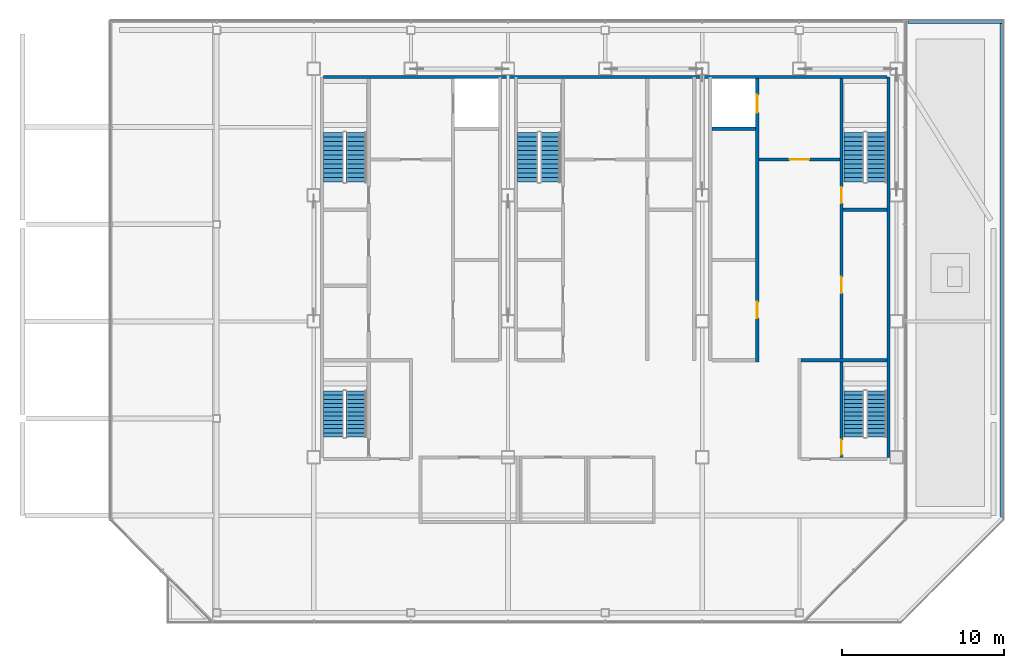
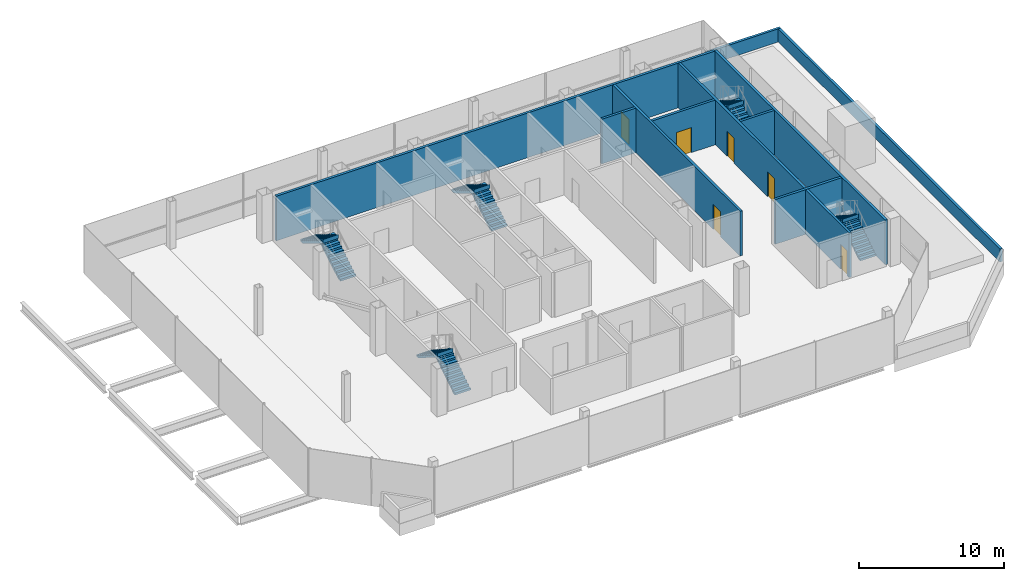
# One storey, part 14 of 17: 10 stair flights, 10 walls, 6 doors, 6 openings, 5 elements without a shape of their own.
"""IFC4 building model written with IfcOpenShell, lengths in metres."""

from ifc_helpers import new_model, si_unit, direction, frame, frame_2d, origin, place, context, subcontext, project, spatial, polyline, rectangle, outline, extrude, material, layer, layer_set, type_object, element, fill, aggregate, save


model = new_model("IFC4")

# Units and contexts
model_context = context("Model", 3, precision=1e-05, world=origin(), true_north=direction((0.0, 1.0)))
body_context = subcontext(model_context, "Body", "Model", "MODEL_VIEW")
ifc_project = project(units=[si_unit("LENGTHUNIT", "METRE"), si_unit("AREAUNIT", "SQUARE_METRE"), si_unit("VOLUMEUNIT", "CUBIC_METRE"), si_unit("PLANEANGLEUNIT", "RADIAN"), si_unit("MASSUNIT", "GRAM", prefix="KILO")], contexts=[model_context])

# Site, building, storey
site_placement = place(None, origin())
site = spatial("IfcSite", under=ifc_project, at=site_placement, CompositionType="ELEMENT")
building_placement = place(site_placement, origin())
building = spatial("IfcBuilding", under=site, at=building_placement, Name="Sorahane Residences", CompositionType="ELEMENT")
storey_placement = place(building_placement, frame((0.0, 0.0, 341.800048828125)))
storey = spatial("IfcBuildingStorey", under=building, at=storey_placement, Name="L81", CompositionType="ELEMENT", Elevation=341.800048828125)

# Walls
ifc_material_1 = material(Name="Concrete C30", Category="concrete")
ifc_layer_1 = layer(ifc_material_1, 0.199951171875)
ifc_layer_set_1 = layer_set([ifc_layer_1], Name="Core face wall 200 EI 180")
wall_type_1 = type_object("IfcWallType", Name="Core face wall 200 EI 180", PredefinedType="SOLIDWALL", material=ifc_layer_set_1)
wall_1_placement = place(storey_placement, frame((41.5, 21.60009765625, 0.0), z_axis=(0.0, 0.0, 1.0), x_axis=(0.0, 1.0, 0.0)))
element("IfcWall", 1, at=wall_1_placement, inside=storey, type_object=wall_type_1, Name="L81 core face wall", PredefinedType="SOLIDWALL", context=body_context, shape_type="SweptSolid", body=[
    extrude(rectangle(XDim=23.5, YDim=0.199951171875, at=frame_2d((11.75, 0.0))), origin(), (0.0, 0.0, 1.0), 3.75),
])
wall_2_placement = place(storey_placement, frame((6.60009765625, 45.10009765625, 0.0), z_axis=(0.0, 0.0, 1.0), x_axis=(1.0, 0.0, 0.0)))
element("IfcWall", 2, at=wall_2_placement, inside=storey, type_object=wall_type_1, Name="L81 core face wall", PredefinedType="SOLIDWALL", context=body_context, shape_type="SweptSolid", body=[
    extrude(rectangle(XDim=34.7998046875, YDim=0.199951171875, at=frame_2d((17.39990234375, 0.0))), origin(), (0.0, 0.0, 1.0), 3.75),
])

# Wall, opening, door
ifc_material_2 = material(Name="Concrete C30", Category="concrete")
ifc_layer_2 = layer(ifc_material_2, 0.199951171875)
ifc_layer_set_2 = layer_set([ifc_layer_2], Name="Front room wall 200 EI 120")
wall_type_2 = type_object("IfcWallType", Name="Front room wall 200 EI 120", PredefinedType="PARTITIONING", material=ifc_layer_set_2)
wall_3_placement = place(storey_placement, frame((33.5, 40.0, 0.0), z_axis=(0.0, 0.0, 1.0), x_axis=(1.0, 0.0, 0.0)))
wall_3 = element("IfcWall", 3, at=wall_3_placement, inside=storey, type_object=wall_type_2, Name="L81 front room wall", PredefinedType="PARTITIONING", context=body_context, shape_type="SweptSolid", body=[
    extrude(rectangle(XDim=5.0, YDim=0.199951171875, at=frame_2d((2.5, 0.0))), origin(), (0.0, 0.0, 1.0), 3.75),
])
opening_1_placement = place(wall_3_placement, frame((1.89990234375, 0.0, 0.0)))
opening_1 = element("IfcOpeningElement", 4, at=opening_1_placement, cuts=wall_3, Name="Opening L81-C05", PredefinedType="OPENING", context=body_context, shape_type="SweptSolid", body=[
    extrude(rectangle(XDim=1.199951171875, YDim=2.10009765625, at=frame_2d((0.60009765625, 1.050048828125))), frame((0.0, 0.10986328125, 0.0), z_axis=(0.0, -1.0, 0.0), x_axis=(1.0, 0.0, 0.0)), (0.0, 0.0, 1.0), 0.219970703125),
])
ifc_material_3 = material(Name="Steel", Category="steel")
door_type_1 = type_object("IfcDoorType", Name="Front room door 1200x2100 FD120", OperationType="NOTDEFINED", PredefinedType="DOOR", material=ifc_material_3)
door_1_placement = place(opening_1_placement, frame((1.199951171875, 0.0, 0.0), z_axis=(0.0, 0.0, 1.0), x_axis=(-1.0, 0.0, 0.0)))
door_1 = element("IfcDoor", 5, at=door_1_placement, inside=storey, type_object=door_type_1, Name="Front room door Firefighting lobby FF2 front room L81", OperationType="DOUBLE_DOOR_SINGLE_SWING", OverallHeight=2.10009765625, OverallWidth=1.199951171875, PredefinedType="DOOR", context=body_context, shape_type="SweptSolid", body=[
    extrude(rectangle(XDim=1.199951171875, YDim=2.10009765625, at=frame_2d((0.60009765625, 1.050048828125))), frame((0.0, 0.02490234375, 0.0), z_axis=(0.0, -1.0, 0.0), x_axis=(1.0, 0.0, 0.0)), (0.0, 0.0, 1.0), 0.050048828125),
])
fill(opening_1, door_1)

# Wall, openings, doors
ifc_material_4 = material(Name="Concrete C30", Category="concrete")
ifc_layer_3 = layer(ifc_material_4, 0.199951171875)
ifc_layer_set_3 = layer_set([ifc_layer_3], Name="Lift shaft wall 200 EI 120")
wall_type_3 = type_object("IfcWallType", Name="Lift shaft wall 200 EI 120", PredefinedType="SOLIDWALL", material=ifc_layer_set_3)
wall_4_placement = place(storey_placement, frame((33.39990234375, 27.5, 0.0), z_axis=(0.0, 0.0, 1.0), x_axis=(0.0, 1.0, 0.0)))
wall_4 = element("IfcWall", 6, at=wall_4_placement, inside=storey, type_object=wall_type_3, Name="L81 lift shaft wall", PredefinedType="SOLIDWALL", context=body_context, shape_type="SweptSolid", body=[
    extrude(rectangle(XDim=17.5, YDim=0.199951171875, at=frame_2d((8.75, 0.0))), origin(), (0.0, 0.0, 1.0), 3.75),
])
opening_2_placement = place(wall_4_placement, frame((15.39990234375, 0.0, 0.0)))
opening_2 = element("IfcOpeningElement", 7, at=opening_2_placement, cuts=wall_4, Name="Opening L81-C06", PredefinedType="OPENING", context=body_context, shape_type="SweptSolid", body=[
    extrude(rectangle(XDim=1.10009765625, YDim=2.10009765625, at=frame_2d((0.550048828125, 1.050048828125))), frame((0.0, 0.10986328125, 0.0), z_axis=(0.0, -1.0, 0.0), x_axis=(1.0, 0.0, 0.0)), (0.0, 0.0, 1.0), 0.219970703125),
])
opening_3_placement = place(wall_4_placement, frame((2.699951171875, 0.0, 0.0)))
opening_3 = element("IfcOpeningElement", 8, at=opening_3_placement, cuts=wall_4, Name="Opening L81-C11", PredefinedType="OPENING", context=body_context, shape_type="SweptSolid", body=[
    extrude(rectangle(XDim=1.0, YDim=2.10009765625, at=frame_2d((0.5, 1.050048828125))), frame((0.0, 0.10986328125, 0.0), z_axis=(0.0, -1.0, 0.0), x_axis=(1.0, 0.0, 0.0)), (0.0, 0.0, 1.0), 0.219970703125),
])
ifc_material_5 = material(Name="Aluminium and stainless steel", Category="steel")
door_type_2 = type_object("IfcDoorType", Name="Lift landing door 1100x2100 E 60", OperationType="NOTDEFINED", PredefinedType="DOOR", material=ifc_material_5)
door_2_placement = place(opening_2_placement, origin())
door_2 = element("IfcDoor", 9, at=door_2_placement, inside=storey, type_object=door_type_2, Name="Lift landing door FF2 L81", OperationType="DOUBLE_DOOR_SLIDING", OverallHeight=2.10009765625, OverallWidth=1.10009765625, PredefinedType="DOOR", context=body_context, shape_type="SweptSolid", body=[
    extrude(rectangle(XDim=1.10009765625, YDim=2.10009765625, at=frame_2d((0.550048828125, 1.050048828125))), frame((0.0, 0.02490234375, 0.0), z_axis=(0.0, -1.0, 0.0), x_axis=(1.0, 0.0, 0.0)), (0.0, 0.0, 1.0), 0.050048828125),
])
fill(opening_2, door_2)
ifc_material_6 = material(Name="Steel", Category="steel")
door_type_3 = type_object("IfcDoorType", Name="Service room door 1000x2100 FD60", OperationType="NOTDEFINED", PredefinedType="DOOR", material=ifc_material_6)
door_3_placement = place(opening_3_placement, origin())
door_3 = element("IfcDoor", 10, at=door_3_placement, inside=storey, type_object=door_type_3, Name="Service room door Quiet room L81", OperationType="SINGLE_SWING_RIGHT", OverallHeight=2.10009765625, OverallWidth=1.0, PredefinedType="DOOR", context=body_context, shape_type="SweptSolid", body=[
    extrude(rectangle(XDim=1.0, YDim=2.10009765625, at=frame_2d((0.5, 1.050048828125))), frame((0.0, 0.02490234375, 0.0), z_axis=(0.0, -1.0, 0.0), x_axis=(1.0, 0.0, 0.0)), (0.0, 0.0, 1.0), 0.050048828125),
])
fill(opening_3, door_3)

# Walls
wall_5_placement = place(storey_placement, frame((30.60009765625, 41.89990234375, 0.0), z_axis=(0.0, 0.0, 1.0), x_axis=(1.0, 0.0, 0.0)))
element("IfcWall", 11, at=wall_5_placement, inside=storey, type_object=wall_type_3, Name="L81 lift shaft wall", PredefinedType="SOLIDWALL", context=body_context, shape_type="SweptSolid", body=[
    extrude(rectangle(XDim=2.699951171875, YDim=0.199951171875, at=frame_2d((1.35009765625, 0.0))), origin(), (0.0, 0.0, 1.0), 3.75),
])
ifc_material_7 = material(Name="Concrete C35", Category="concrete")
ifc_layer_4 = layer(ifc_material_7, 0.199951171875)
ifc_layer_set_4 = layer_set([ifc_layer_4], Name="Parapet wall Concrete C35 200")
wall_type_4 = type_object("IfcWallType", Name="Parapet wall Concrete C35 200", PredefinedType="PARAPET", material=ifc_layer_set_4)
wall_6_placement = place(storey_placement, frame((42.699951171875, 48.5, 0.0), z_axis=(0.0, 0.0, 1.0), x_axis=(1.0, 0.0, 0.0)))
element("IfcWall", 12, at=wall_6_placement, inside=storey, type_object=wall_type_4, Name="Roof parapet L81.2.1.1", PredefinedType="PARAPET", context=body_context, shape_type="SweptSolid", body=[
    extrude(rectangle(XDim=5.900146484375, YDim=0.199951171875, at=frame_2d((2.9501953125, 0.0))), origin(), (0.0, 0.0, 1.0), 1.099853515625),
])
wall_7_placement = place(storey_placement, frame((48.5, 48.39990234375, 0.0), z_axis=(0.0, 0.0, 1.0), x_axis=(0.0, -1.0, 0.0)))
element("IfcWall", 13, at=wall_7_placement, inside=storey, type_object=wall_type_4, Name="Roof parapet L81.2.1.2", PredefinedType="PARAPET", context=body_context, shape_type="SweptSolid", body=[
    extrude(rectangle(XDim=30.4619140625, YDim=0.199951171875, at=frame_2d((15.23095703125, 0.0))), origin(), (0.0, 0.0, 1.0), 1.099853515625),
])

# Wall, openings, doors
ifc_material_8 = material(Name="Concrete C30", Category="concrete")
ifc_layer_5 = layer(ifc_material_8, 0.199951171875)
ifc_layer_set_5 = layer_set([ifc_layer_5], Name="Stair enclosure wall 200 EI 120")
wall_type_5 = type_object("IfcWallType", Name="Stair enclosure wall 200 EI 120", PredefinedType="SOLIDWALL", material=ifc_layer_set_5)
wall_8_placement = place(storey_placement, frame((38.60009765625, 21.5, 0.0), z_axis=(0.0, 0.0, 1.0), x_axis=(0.0, 1.0, 0.0)))
wall_8 = element("IfcWall", 14, at=wall_8_placement, inside=storey, type_object=wall_type_5, Name="L81 stair enclosure wall", PredefinedType="SOLIDWALL", context=body_context, shape_type="SweptSolid", body=[
    extrude(rectangle(XDim=23.5, YDim=0.199951171875, at=frame_2d((11.75, 0.0))), origin(), (0.0, 0.0, 1.0), 3.75),
])
opening_4_placement = place(wall_8_placement, frame((10.25, 0.0, 0.0)))
opening_4 = element("IfcOpeningElement", 15, at=opening_4_placement, cuts=wall_8, Name="Opening L81-C10", PredefinedType="OPENING", context=body_context, shape_type="SweptSolid", body=[
    extrude(rectangle(XDim=1.0, YDim=2.10009765625, at=frame_2d((0.5, 1.050048828125))), frame((0.0, 0.10986328125, 0.0), z_axis=(0.0, -1.0, 0.0), x_axis=(1.0, 0.0, 0.0)), (0.0, 0.0, 1.0), 0.219970703125),
])
opening_5_placement = place(wall_8_placement, frame((15.800048828125, 0.0, 0.0)))
opening_5 = element("IfcOpeningElement", 16, at=opening_5_placement, cuts=wall_8, Name="Opening L81-C16", PredefinedType="OPENING", context=body_context, shape_type="SweptSolid", body=[
    extrude(rectangle(XDim=1.0, YDim=2.10009765625, at=frame_2d((0.5, 1.050048828125))), frame((0.0, 0.10986328125, 0.0), z_axis=(0.0, -1.0, 0.0), x_axis=(1.0, 0.0, 0.0)), (0.0, 0.0, 1.0), 0.219970703125),
])
opening_6_placement = place(wall_8_placement, frame((0.27490234375, 0.0, 0.0)))
opening_6 = element("IfcOpeningElement", 17, at=opening_6_placement, cuts=wall_8, Name="Opening L81-C19", PredefinedType="OPENING", context=body_context, shape_type="SweptSolid", body=[
    extrude(rectangle(XDim=0.89990234375, YDim=2.10009765625, at=frame_2d((0.449951171875, 1.050048828125))), frame((0.0, 0.10986328125, 0.0), z_axis=(0.0, -1.0, 0.0), x_axis=(1.0, 0.0, 0.0)), (0.0, 0.0, 1.0), 0.219970703125),
])
door_4_placement = place(opening_4_placement, frame((1.0, 0.0, 0.0), z_axis=(0.0, 0.0, 1.0), x_axis=(-1.0, 0.0, 0.0)))
door_4 = element("IfcDoor", 18, at=door_4_placement, inside=storey, type_object=door_type_3, Name="Service room door Tea room L81", OperationType="SINGLE_SWING_LEFT", OverallHeight=2.10009765625, OverallWidth=1.0, PredefinedType="DOOR", context=body_context, shape_type="SweptSolid", body=[
    extrude(rectangle(XDim=1.0, YDim=2.10009765625, at=frame_2d((0.5, 1.050048828125))), frame((0.0, 0.02490234375, 0.0), z_axis=(0.0, -1.0, 0.0), x_axis=(1.0, 0.0, 0.0)), (0.0, 0.0, 1.0), 0.050048828125),
])
fill(opening_4, door_4)
ifc_material_9 = material(Name="Steel", Category="steel")
door_type_4 = type_object("IfcDoorType", Name="Stair door 1000x2100 FD120", OperationType="NOTDEFINED", PredefinedType="DOOR", material=ifc_material_9)
door_5_placement = place(opening_5_placement, frame((1.0, 0.0, 0.0), z_axis=(0.0, 0.0, 1.0), x_axis=(-1.0, 0.0, 0.0)))
door_5 = element("IfcDoor", 19, at=door_5_placement, inside=storey, type_object=door_type_4, Name="Stair door S2 L81", OperationType="SINGLE_SWING_LEFT", OverallHeight=2.10009765625, OverallWidth=1.0, PredefinedType="DOOR", context=body_context, shape_type="SweptSolid", body=[
    extrude(rectangle(XDim=1.0, YDim=2.10009765625, at=frame_2d((0.5, 1.050048828125))), frame((0.0, 0.02490234375, 0.0), z_axis=(0.0, -1.0, 0.0), x_axis=(1.0, 0.0, 0.0)), (0.0, 0.0, 1.0), 0.050048828125),
])
fill(opening_5, door_5)
ifc_material_10 = material(Name="Steel", Category="steel")
door_type_5 = type_object("IfcDoorType", Name="Stair door 900x2100 FD120", OperationType="NOTDEFINED", PredefinedType="DOOR", material=ifc_material_10)
door_6_placement = place(opening_6_placement, frame((0.89990234375, 0.0, 0.0), z_axis=(0.0, 0.0, 1.0), x_axis=(-1.0, 0.0, 0.0)))
door_6 = element("IfcDoor", 20, at=door_6_placement, inside=storey, type_object=door_type_5, Name="Stair door S5 L81", OperationType="SINGLE_SWING_LEFT", OverallHeight=2.10009765625, OverallWidth=0.89990234375, PredefinedType="DOOR", context=body_context, shape_type="SweptSolid", body=[
    extrude(rectangle(XDim=0.89990234375, YDim=2.10009765625, at=frame_2d((0.449951171875, 1.050048828125))), frame((0.0, 0.02490234375, 0.0), z_axis=(0.0, -1.0, 0.0), x_axis=(1.0, 0.0, 0.0)), (0.0, 0.0, 1.0), 0.050048828125),
])
fill(opening_6, door_6)

# Walls
wall_9_placement = place(storey_placement, frame((36.10009765625, 27.60009765625, 0.0), z_axis=(0.0, 0.0, 1.0), x_axis=(1.0, 0.0, 0.0)))
element("IfcWall", 21, at=wall_9_placement, inside=storey, type_object=wall_type_5, Name="L81 stair enclosure wall", PredefinedType="SOLIDWALL", context=body_context, shape_type="SweptSolid", body=[
    extrude(rectangle(XDim=5.2998046875, YDim=0.199951171875, at=frame_2d((2.64990234375, 0.0))), origin(), (0.0, 0.0, 1.0), 3.75),
])
wall_10_placement = place(storey_placement, frame((38.699951171875, 36.89990234375, 0.0), z_axis=(0.0, 0.0, 1.0), x_axis=(1.0, 0.0, 0.0)))
element("IfcWall", 22, at=wall_10_placement, inside=storey, type_object=wall_type_5, Name="L81 stair enclosure wall", PredefinedType="SOLIDWALL", context=body_context, shape_type="SweptSolid", body=[
    extrude(rectangle(XDim=2.699951171875, YDim=0.199951171875, at=frame_2d((1.35009765625, 0.0))), origin(), (0.0, 0.0, 1.0), 3.75),
])

# Stair, stair flights
ifc_material_11 = material(Name="Concrete C40", Category="concrete")
stair_type = type_object("IfcStairType", Name="Dog-leg stair 1250 Concrete C40", PredefinedType="HALF_TURN_STAIR", material=ifc_material_11)
stair_1_placement = place(storey_placement, origin())
stair_1 = element("IfcStair", 23, at=stair_1_placement, inside=storey, type_object=stair_type, Name="L81 Stair S1", PredefinedType="HALF_TURN_STAIR")
ifc_material_12 = material(Name="Concrete C40", Category="concrete")
stair_flight_type = type_object("IfcStairFlightType", Name="Stair flight 1250 Concrete C40", PredefinedType="STRAIGHT", material=ifc_material_12)
stair_flight_1_placement = place(storey_placement, frame((8.625, 38.60009765625, 0.0), z_axis=(0.0, 0.0, 1.0), x_axis=(0.0, 1.0, 0.0)))
stair_flight_1 = element("IfcStairFlight", 24, at=stair_flight_1_placement, type_object=stair_flight_type, Name="S1 flight 1", NumberOfRisers=12, NumberOfTreads=11, PredefinedType="STRAIGHT", RiserHeight=0.166666667, TreadLength=0.28, context=body_context, shape_type="SweptSolid", body=[
    extrude(outline(polyline([(-0.00146484375, 0.0), (-0.00146484375, 0.166748046875), (0.0, 0.166748046875), (0.280029296875, 0.166748046875), (0.280029296875, 0.333251953125), (0.56005859375, 0.333251953125), (0.56005859375, 0.5), (0.840087890625, 0.5), (0.840087890625, 0.666748046875), (1.1201171875, 0.666748046875), (1.1201171875, 0.833251953125), (1.39990234375, 0.833251953125), (1.39990234375, 1.0), (1.679931640625, 1.0), (1.679931640625, 1.166748046875), (1.9599609375, 1.166748046875), (1.9599609375, 1.333251953125), (2.239990234375, 1.333251953125), (2.239990234375, 1.5), (2.52001953125, 1.5), (2.52001953125, 1.666748046875), (2.800048828125, 1.666748046875), (2.800048828125, 1.833251953125), (3.080078125, 1.833251953125), (3.080078125, 2.0), (3.080078125, 1.658935546875), (2.86572265625, 1.53125), (2.651123046875, 1.403564453125), (2.436767578125, 1.276123046875), (2.222412109375, 1.1484375), (2.008056640625, 1.020751953125), (1.793701171875, 0.893310546875), (1.579345703125, 0.765625), (1.364990234375, 0.637939453125), (1.150634765625, 0.510498046875), (0.936279296875, 0.3828125), (0.721923828125, 0.255126953125), (0.507568359375, 0.127685546875), (0.29296875, 0.0), (-0.00146484375, 0.0)])), frame((0.0, 0.625, 0.0), z_axis=(0.0, -1.0, 0.0), x_axis=(1.0, 0.0, 0.0)), (0.0, 0.0, 1.0), 1.25),
])
stair_flight_2_placement = place(storey_placement, frame((7.22509765625, 41.679931640625, 2.0), z_axis=(0.0, 0.0, 1.0), x_axis=(0.0, -1.0, 0.0)))
stair_flight_2 = element("IfcStairFlight", 25, at=stair_flight_2_placement, type_object=stair_flight_type, Name="S1 flight 2", NumberOfRisers=12, NumberOfTreads=11, PredefinedType="STRAIGHT", RiserHeight=0.166666667, TreadLength=0.28, context=body_context, shape_type="SweptSolid", body=[
    extrude(outline(polyline([(0.0, 0.0), (0.0, 0.166748046875), (0.280029296875, 0.166748046875), (0.280029296875, 0.333251953125), (0.56005859375, 0.333251953125), (0.56005859375, 0.5), (0.840087890625, 0.5), (0.840087890625, 0.666748046875), (1.1201171875, 0.666748046875), (1.1201171875, 0.833251953125), (1.39990234375, 0.833251953125), (1.39990234375, 1.0), (1.679931640625, 1.0), (1.679931640625, 1.166748046875), (1.9599609375, 1.166748046875), (1.9599609375, 1.333251953125), (2.239990234375, 1.333251953125), (2.239990234375, 1.5), (2.52001953125, 1.5), (2.52001953125, 1.666748046875), (2.800048828125, 1.666748046875), (2.800048828125, 1.833251953125), (3.080078125, 1.833251953125), (3.080078125, 2.0), (3.08154296875, 2.0), (3.08154296875, 1.658935546875), (2.866943359375, 1.53125), (2.652587890625, 1.403564453125), (2.43798828125, 1.276123046875), (2.2236328125, 1.1484375), (2.009033203125, 1.020751953125), (1.79443359375, 0.893310546875), (1.580078125, 0.765625), (1.365478515625, 0.637939453125), (1.151123046875, 0.510498046875), (0.9365234375, 0.3828125), (0.72216796875, 0.255126953125), (0.507568359375, 0.127685546875), (0.29296875, 0.0), (0.0, 0.0)])), frame((0.0, 0.625, 0.0), z_axis=(0.0, -1.0, 0.0), x_axis=(1.0, 0.0, 0.0)), (0.0, 0.0, 1.0), 1.25),
])
aggregate(stair_1, [stair_flight_1, stair_flight_2])

stair_2_placement = place(storey_placement, origin())
stair_2 = element("IfcStair", 26, at=stair_2_placement, inside=storey, type_object=stair_type, Name="L81 Stair S2", PredefinedType="HALF_TURN_STAIR")
stair_flight_3_placement = place(storey_placement, frame((40.77490234375, 38.60009765625, 0.0), z_axis=(0.0, 0.0, 1.0), x_axis=(0.0, 1.0, 0.0)))
stair_flight_3 = element("IfcStairFlight", 27, at=stair_flight_3_placement, type_object=stair_flight_type, Name="S2 flight 1", NumberOfRisers=12, NumberOfTreads=11, PredefinedType="STRAIGHT", RiserHeight=0.166666667, TreadLength=0.28, context=body_context, shape_type="SweptSolid", body=[
    extrude(outline(polyline([(-0.00146484375, 0.0), (-0.00146484375, 0.166748046875), (0.0, 0.166748046875), (0.280029296875, 0.166748046875), (0.280029296875, 0.333251953125), (0.56005859375, 0.333251953125), (0.56005859375, 0.5), (0.840087890625, 0.5), (0.840087890625, 0.666748046875), (1.1201171875, 0.666748046875), (1.1201171875, 0.833251953125), (1.39990234375, 0.833251953125), (1.39990234375, 1.0), (1.679931640625, 1.0), (1.679931640625, 1.166748046875), (1.9599609375, 1.166748046875), (1.9599609375, 1.333251953125), (2.239990234375, 1.333251953125), (2.239990234375, 1.5), (2.52001953125, 1.5), (2.52001953125, 1.666748046875), (2.800048828125, 1.666748046875), (2.800048828125, 1.833251953125), (3.080078125, 1.833251953125), (3.080078125, 2.0), (3.080078125, 1.658935546875), (2.86572265625, 1.53125), (2.651123046875, 1.403564453125), (2.436767578125, 1.276123046875), (2.222412109375, 1.1484375), (2.008056640625, 1.020751953125), (1.793701171875, 0.893310546875), (1.579345703125, 0.765625), (1.364990234375, 0.637939453125), (1.150634765625, 0.510498046875), (0.936279296875, 0.3828125), (0.721923828125, 0.255126953125), (0.507568359375, 0.127685546875), (0.29296875, 0.0), (-0.00146484375, 0.0)])), frame((0.0, 0.625, 0.0), z_axis=(0.0, -1.0, 0.0), x_axis=(1.0, 0.0, 0.0)), (0.0, 0.0, 1.0), 1.25),
])
stair_flight_4_placement = place(storey_placement, frame((39.375, 41.679931640625, 2.0), z_axis=(0.0, 0.0, 1.0), x_axis=(0.0, -1.0, 0.0)))
stair_flight_4 = element("IfcStairFlight", 28, at=stair_flight_4_placement, type_object=stair_flight_type, Name="S2 flight 2", NumberOfRisers=12, NumberOfTreads=11, PredefinedType="STRAIGHT", RiserHeight=0.166666667, TreadLength=0.28, context=body_context, shape_type="SweptSolid", body=[
    extrude(outline(polyline([(0.0, 0.0), (0.0, 0.166748046875), (0.280029296875, 0.166748046875), (0.280029296875, 0.333251953125), (0.56005859375, 0.333251953125), (0.56005859375, 0.5), (0.840087890625, 0.5), (0.840087890625, 0.666748046875), (1.1201171875, 0.666748046875), (1.1201171875, 0.833251953125), (1.39990234375, 0.833251953125), (1.39990234375, 1.0), (1.679931640625, 1.0), (1.679931640625, 1.166748046875), (1.9599609375, 1.166748046875), (1.9599609375, 1.333251953125), (2.239990234375, 1.333251953125), (2.239990234375, 1.5), (2.52001953125, 1.5), (2.52001953125, 1.666748046875), (2.800048828125, 1.666748046875), (2.800048828125, 1.833251953125), (3.080078125, 1.833251953125), (3.080078125, 2.0), (3.08154296875, 2.0), (3.08154296875, 1.658935546875), (2.866943359375, 1.53125), (2.652587890625, 1.403564453125), (2.43798828125, 1.276123046875), (2.2236328125, 1.1484375), (2.009033203125, 1.020751953125), (1.79443359375, 0.893310546875), (1.580078125, 0.765625), (1.365478515625, 0.637939453125), (1.151123046875, 0.510498046875), (0.9365234375, 0.3828125), (0.72216796875, 0.255126953125), (0.507568359375, 0.127685546875), (0.29296875, 0.0), (0.0, 0.0)])), frame((0.0, 0.625, 0.0), z_axis=(0.0, -1.0, 0.0), x_axis=(1.0, 0.0, 0.0)), (0.0, 0.0, 1.0), 1.25),
])
aggregate(stair_2, [stair_flight_3, stair_flight_4])

stair_3_placement = place(storey_placement, origin())
stair_3 = element("IfcStair", 29, at=stair_3_placement, inside=storey, type_object=stair_type, Name="L81 Stair S3", PredefinedType="HALF_TURN_STAIR")
stair_flight_5_placement = place(storey_placement, frame((20.625, 38.60009765625, 0.0), z_axis=(0.0, 0.0, 1.0), x_axis=(0.0, 1.0, 0.0)))
stair_flight_5 = element("IfcStairFlight", 30, at=stair_flight_5_placement, type_object=stair_flight_type, Name="S3 flight 1", NumberOfRisers=12, NumberOfTreads=11, PredefinedType="STRAIGHT", RiserHeight=0.166666667, TreadLength=0.28, context=body_context, shape_type="SweptSolid", body=[
    extrude(outline(polyline([(-0.00146484375, 0.0), (-0.00146484375, 0.166748046875), (0.0, 0.166748046875), (0.280029296875, 0.166748046875), (0.280029296875, 0.333251953125), (0.56005859375, 0.333251953125), (0.56005859375, 0.5), (0.840087890625, 0.5), (0.840087890625, 0.666748046875), (1.1201171875, 0.666748046875), (1.1201171875, 0.833251953125), (1.39990234375, 0.833251953125), (1.39990234375, 1.0), (1.679931640625, 1.0), (1.679931640625, 1.166748046875), (1.9599609375, 1.166748046875), (1.9599609375, 1.333251953125), (2.239990234375, 1.333251953125), (2.239990234375, 1.5), (2.52001953125, 1.5), (2.52001953125, 1.666748046875), (2.800048828125, 1.666748046875), (2.800048828125, 1.833251953125), (3.080078125, 1.833251953125), (3.080078125, 2.0), (3.080078125, 1.658935546875), (2.86572265625, 1.53125), (2.651123046875, 1.403564453125), (2.436767578125, 1.276123046875), (2.222412109375, 1.1484375), (2.008056640625, 1.020751953125), (1.793701171875, 0.893310546875), (1.579345703125, 0.765625), (1.364990234375, 0.637939453125), (1.150634765625, 0.510498046875), (0.936279296875, 0.3828125), (0.721923828125, 0.255126953125), (0.507568359375, 0.127685546875), (0.29296875, 0.0), (-0.00146484375, 0.0)])), frame((0.0, 0.625, 0.0), z_axis=(0.0, -1.0, 0.0), x_axis=(1.0, 0.0, 0.0)), (0.0, 0.0, 1.0), 1.25),
])
stair_flight_6_placement = place(storey_placement, frame((19.22509765625, 41.679931640625, 2.0), z_axis=(0.0, 0.0, 1.0), x_axis=(0.0, -1.0, 0.0)))
stair_flight_6 = element("IfcStairFlight", 31, at=stair_flight_6_placement, type_object=stair_flight_type, Name="S3 flight 2", NumberOfRisers=12, NumberOfTreads=11, PredefinedType="STRAIGHT", RiserHeight=0.166666667, TreadLength=0.28, context=body_context, shape_type="SweptSolid", body=[
    extrude(outline(polyline([(0.0, 0.0), (0.0, 0.166748046875), (0.280029296875, 0.166748046875), (0.280029296875, 0.333251953125), (0.56005859375, 0.333251953125), (0.56005859375, 0.5), (0.840087890625, 0.5), (0.840087890625, 0.666748046875), (1.1201171875, 0.666748046875), (1.1201171875, 0.833251953125), (1.39990234375, 0.833251953125), (1.39990234375, 1.0), (1.679931640625, 1.0), (1.679931640625, 1.166748046875), (1.9599609375, 1.166748046875), (1.9599609375, 1.333251953125), (2.239990234375, 1.333251953125), (2.239990234375, 1.5), (2.52001953125, 1.5), (2.52001953125, 1.666748046875), (2.800048828125, 1.666748046875), (2.800048828125, 1.833251953125), (3.080078125, 1.833251953125), (3.080078125, 2.0), (3.08154296875, 2.0), (3.08154296875, 1.658935546875), (2.866943359375, 1.53125), (2.652587890625, 1.403564453125), (2.43798828125, 1.276123046875), (2.2236328125, 1.1484375), (2.009033203125, 1.020751953125), (1.79443359375, 0.893310546875), (1.580078125, 0.765625), (1.365478515625, 0.637939453125), (1.151123046875, 0.510498046875), (0.9365234375, 0.3828125), (0.72216796875, 0.255126953125), (0.507568359375, 0.127685546875), (0.29296875, 0.0), (0.0, 0.0)])), frame((0.0, 0.625, 0.0), z_axis=(0.0, -1.0, 0.0), x_axis=(1.0, 0.0, 0.0)), (0.0, 0.0, 1.0), 1.25),
])
aggregate(stair_3, [stair_flight_5, stair_flight_6])

stair_4_placement = place(storey_placement, origin())
stair_4 = element("IfcStair", 32, at=stair_4_placement, inside=storey, type_object=stair_type, Name="L81 Stair S4", PredefinedType="HALF_TURN_STAIR")
stair_flight_7_placement = place(storey_placement, frame((8.625, 22.85009765625, 0.0), z_axis=(0.0, 0.0, 1.0), x_axis=(0.0, 1.0, 0.0)))
stair_flight_7 = element("IfcStairFlight", 33, at=stair_flight_7_placement, type_object=stair_flight_type, Name="S4 flight 1", NumberOfRisers=12, NumberOfTreads=11, PredefinedType="STRAIGHT", RiserHeight=0.166666667, TreadLength=0.26, context=body_context, shape_type="SweptSolid", body=[
    extrude(outline(polyline([(-0.00146484375, 0.0), (-0.00146484375, 0.166748046875), (0.0, 0.166748046875), (0.260009765625, 0.166748046875), (0.260009765625, 0.333251953125), (0.52001953125, 0.333251953125), (0.52001953125, 0.5), (0.780029296875, 0.5), (0.780029296875, 0.666748046875), (1.0400390625, 0.666748046875), (1.0400390625, 0.833251953125), (1.300048828125, 0.833251953125), (1.300048828125, 1.0), (1.56005859375, 1.0), (1.56005859375, 1.166748046875), (1.820068359375, 1.166748046875), (1.820068359375, 1.333251953125), (2.080078125, 1.333251953125), (2.080078125, 1.5), (2.340087890625, 1.5), (2.340087890625, 1.666748046875), (2.60009765625, 1.666748046875), (2.60009765625, 1.833251953125), (2.860107421875, 1.833251953125), (2.860107421875, 2.0), (2.860107421875, 1.690673828125), (2.6572265625, 1.560546875), (2.454345703125, 1.4306640625), (2.25146484375, 1.300537109375), (2.048583984375, 1.17041015625), (1.845703125, 1.040283203125), (1.642822265625, 0.910400390625), (1.43994140625, 0.7802734375), (1.237060546875, 0.650146484375), (1.0341796875, 0.520263671875), (0.831298828125, 0.39013671875), (0.62841796875, 0.260009765625), (0.425537109375, 0.130126953125), (0.22265625, 0.0), (-0.00146484375, 0.0)])), frame((0.0, 0.625, 0.0), z_axis=(0.0, -1.0, 0.0), x_axis=(1.0, 0.0, 0.0)), (0.0, 0.0, 1.0), 1.25),
])
stair_flight_8_placement = place(storey_placement, frame((7.22509765625, 25.7099609375, 2.0), z_axis=(0.0, 0.0, 1.0), x_axis=(0.0, -1.0, 0.0)))
stair_flight_8 = element("IfcStairFlight", 34, at=stair_flight_8_placement, type_object=stair_flight_type, Name="S4 flight 2", NumberOfRisers=12, NumberOfTreads=11, PredefinedType="STRAIGHT", RiserHeight=0.166666667, TreadLength=0.26, context=body_context, shape_type="SweptSolid", body=[
    extrude(outline(polyline([(0.0, 0.0), (0.0, 0.166748046875), (0.260009765625, 0.166748046875), (0.260009765625, 0.333251953125), (0.52001953125, 0.333251953125), (0.52001953125, 0.5), (0.780029296875, 0.5), (0.780029296875, 0.666748046875), (1.0400390625, 0.666748046875), (1.0400390625, 0.833251953125), (1.300048828125, 0.833251953125), (1.300048828125, 1.0), (1.56005859375, 1.0), (1.56005859375, 1.166748046875), (1.820068359375, 1.166748046875), (1.820068359375, 1.333251953125), (2.080078125, 1.333251953125), (2.080078125, 1.5), (2.340087890625, 1.5), (2.340087890625, 1.666748046875), (2.60009765625, 1.666748046875), (2.60009765625, 1.833251953125), (2.860107421875, 1.833251953125), (2.860107421875, 2.0), (2.861572265625, 2.0), (2.861572265625, 1.690673828125), (2.658447265625, 1.560546875), (2.45556640625, 1.4306640625), (2.25244140625, 1.300537109375), (2.049560546875, 1.17041015625), (1.846435546875, 1.040283203125), (1.6435546875, 0.910400390625), (1.4404296875, 0.7802734375), (1.237548828125, 0.650146484375), (1.03466796875, 0.520263671875), (0.83154296875, 0.39013671875), (0.628662109375, 0.260009765625), (0.425537109375, 0.130126953125), (0.22265625, 0.0), (0.0, 0.0)])), frame((0.0, 0.625, 0.0), z_axis=(0.0, -1.0, 0.0), x_axis=(1.0, 0.0, 0.0)), (0.0, 0.0, 1.0), 1.25),
])
aggregate(stair_4, [stair_flight_7, stair_flight_8])

stair_5_placement = place(storey_placement, origin())
stair_5 = element("IfcStair", 35, at=stair_5_placement, inside=storey, type_object=stair_type, Name="L81 Stair S5", PredefinedType="HALF_TURN_STAIR")
stair_flight_9_placement = place(storey_placement, frame((40.77490234375, 22.85009765625, 0.0), z_axis=(0.0, 0.0, 1.0), x_axis=(0.0, 1.0, 0.0)))
stair_flight_9 = element("IfcStairFlight", 36, at=stair_flight_9_placement, type_object=stair_flight_type, Name="S5 flight 1", NumberOfRisers=12, NumberOfTreads=11, PredefinedType="STRAIGHT", RiserHeight=0.166666667, TreadLength=0.26, context=body_context, shape_type="SweptSolid", body=[
    extrude(outline(polyline([(-0.00146484375, 0.0), (-0.00146484375, 0.166748046875), (0.0, 0.166748046875), (0.260009765625, 0.166748046875), (0.260009765625, 0.333251953125), (0.52001953125, 0.333251953125), (0.52001953125, 0.5), (0.780029296875, 0.5), (0.780029296875, 0.666748046875), (1.0400390625, 0.666748046875), (1.0400390625, 0.833251953125), (1.300048828125, 0.833251953125), (1.300048828125, 1.0), (1.56005859375, 1.0), (1.56005859375, 1.166748046875), (1.820068359375, 1.166748046875), (1.820068359375, 1.333251953125), (2.080078125, 1.333251953125), (2.080078125, 1.5), (2.340087890625, 1.5), (2.340087890625, 1.666748046875), (2.60009765625, 1.666748046875), (2.60009765625, 1.833251953125), (2.860107421875, 1.833251953125), (2.860107421875, 2.0), (2.860107421875, 1.690673828125), (2.6572265625, 1.560546875), (2.454345703125, 1.4306640625), (2.25146484375, 1.300537109375), (2.048583984375, 1.17041015625), (1.845703125, 1.040283203125), (1.642822265625, 0.910400390625), (1.43994140625, 0.7802734375), (1.237060546875, 0.650146484375), (1.0341796875, 0.520263671875), (0.831298828125, 0.39013671875), (0.62841796875, 0.260009765625), (0.425537109375, 0.130126953125), (0.22265625, 0.0), (-0.00146484375, 0.0)])), frame((0.0, 0.625, 0.0), z_axis=(0.0, -1.0, 0.0), x_axis=(1.0, 0.0, 0.0)), (0.0, 0.0, 1.0), 1.25),
])
stair_flight_10_placement = place(storey_placement, frame((39.375, 25.7099609375, 2.0), z_axis=(0.0, 0.0, 1.0), x_axis=(0.0, -1.0, 0.0)))
stair_flight_10 = element("IfcStairFlight", 37, at=stair_flight_10_placement, type_object=stair_flight_type, Name="S5 flight 2", NumberOfRisers=12, NumberOfTreads=11, PredefinedType="STRAIGHT", RiserHeight=0.166666667, TreadLength=0.26, context=body_context, shape_type="SweptSolid", body=[
    extrude(outline(polyline([(0.0, 0.0), (0.0, 0.166748046875), (0.260009765625, 0.166748046875), (0.260009765625, 0.333251953125), (0.52001953125, 0.333251953125), (0.52001953125, 0.5), (0.780029296875, 0.5), (0.780029296875, 0.666748046875), (1.0400390625, 0.666748046875), (1.0400390625, 0.833251953125), (1.300048828125, 0.833251953125), (1.300048828125, 1.0), (1.56005859375, 1.0), (1.56005859375, 1.166748046875), (1.820068359375, 1.166748046875), (1.820068359375, 1.333251953125), (2.080078125, 1.333251953125), (2.080078125, 1.5), (2.340087890625, 1.5), (2.340087890625, 1.666748046875), (2.60009765625, 1.666748046875), (2.60009765625, 1.833251953125), (2.860107421875, 1.833251953125), (2.860107421875, 2.0), (2.861572265625, 2.0), (2.861572265625, 1.690673828125), (2.658447265625, 1.560546875), (2.45556640625, 1.4306640625), (2.25244140625, 1.300537109375), (2.049560546875, 1.17041015625), (1.846435546875, 1.040283203125), (1.6435546875, 0.910400390625), (1.4404296875, 0.7802734375), (1.237548828125, 0.650146484375), (1.03466796875, 0.520263671875), (0.83154296875, 0.39013671875), (0.628662109375, 0.260009765625), (0.425537109375, 0.130126953125), (0.22265625, 0.0), (0.0, 0.0)])), frame((0.0, 0.625, 0.0), z_axis=(0.0, -1.0, 0.0), x_axis=(1.0, 0.0, 0.0)), (0.0, 0.0, 1.0), 1.25),
])
aggregate(stair_5, [stair_flight_9, stair_flight_10])

save(model, "model.ifc")
